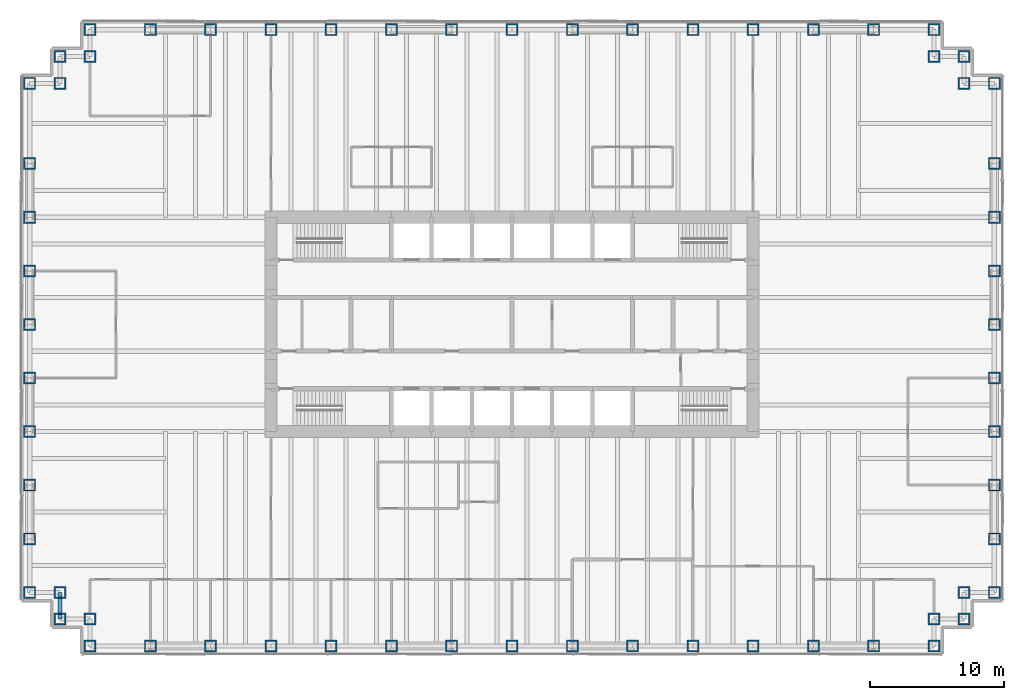
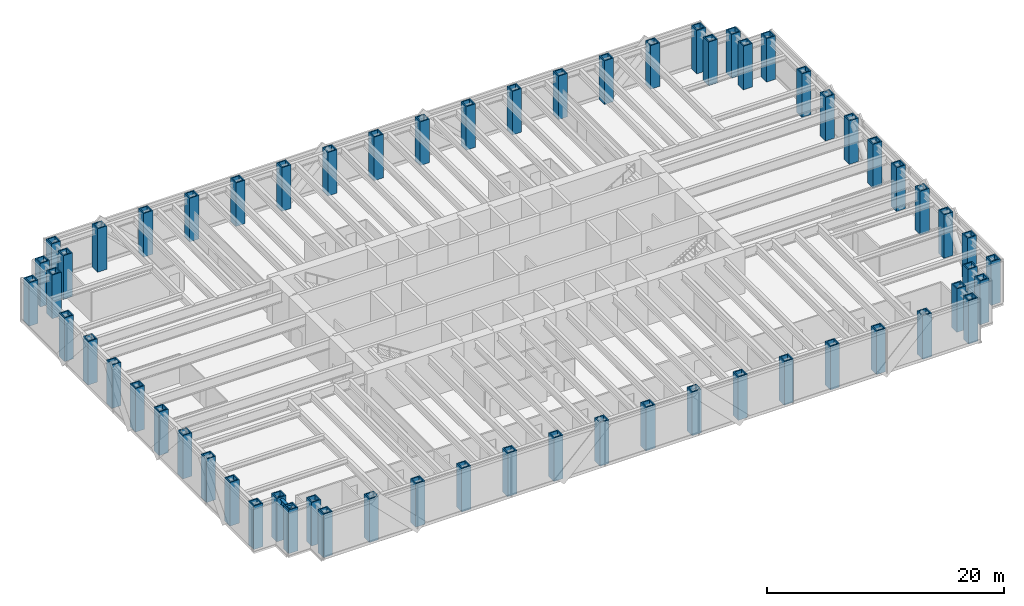
# One storey, part 1 of 13: 62 columns, 1 beam.
"""IFC4 building model written with IfcOpenShell, lengths in metres."""

from ifc_helpers import new_model, si_unit, direction, frame, origin, origin_2d, place, context, subcontext, project, spatial, hollow_rectangle, i_section, extrude, material, material_profile, profile_set, type_object, element, save


model = new_model("IFC4")

# Units and contexts
model_context = context("Model", 3, precision=1e-05, world=origin(), true_north=direction((0.0, 1.0)))
body_context = subcontext(model_context, "Body", "Model", "MODEL_VIEW")
ifc_project = project(units=[si_unit("LENGTHUNIT", "METRE"), si_unit("AREAUNIT", "SQUARE_METRE"), si_unit("VOLUMEUNIT", "CUBIC_METRE"), si_unit("PLANEANGLEUNIT", "RADIAN"), si_unit("MASSUNIT", "GRAM", prefix="KILO")], contexts=[model_context])

# Site, building, storey
site_placement = place(None, origin())
site = spatial("IfcSite", under=ifc_project, at=site_placement, CompositionType="ELEMENT")
building_placement = place(site_placement, origin())
building = spatial("IfcBuilding", under=site, at=building_placement, Name="Rheinbord Bourse Tower", CompositionType="ELEMENT")
storey_placement = place(building_placement, frame((0.0, 0.0, 86.0)))
storey = spatial("IfcBuildingStorey", under=building, at=storey_placement, Name="L18", CompositionType="ELEMENT", Elevation=86.0)

# Columns
ifc_material_1 = material(Name="Steel S460M", Category="steel")
ifc_material_profile_1 = material_profile(ifc_material_1, hollow_rectangle(XDim=0.89990234375, YDim=0.89990234375, WallThickness=0.110107421875, at=origin_2d()), Name="BOX 900x900x110")
ifc_profile_set_1 = profile_set([ifc_material_profile_1], Name="Steel S460M")
column_type = type_object("IfcColumnType", Name="TUBE COLUMN BOX 900x900x110", PredefinedType="COLUMN", material=ifc_profile_set_1)
for number, where, z_axis, x_axis, name in (
    (1, (4.5, 0.0, 0.0), (0.0, 0.0, 1.0), (0.0, 1.0, 0.0), "Column SW-E L18"),
    (2, (9.0, 0.0, 0.0), (0.0, 0.0, 1.0), (0.0, 1.0, 0.0), "Column S-9 L18"),
    (3, (13.5, 0.0, 0.0), (0.0, 0.0, 1.0), (0.0, 1.0, 0.0), "Column S-13.5 L18"),
    (4, (18.0, 0.0, 0.0), (0.0, 0.0, 1.0), (0.0, 1.0, 0.0), "Column S-18 L18"),
    (5, (22.5, 0.0, 0.0), (0.0, 0.0, 1.0), (0.0, 1.0, 0.0), "Column S-22.5 L18"),
    (6, (27.0, 0.0, 0.0), (0.0, 0.0, 1.0), (0.0, 1.0, 0.0), "Column S-27 L18"),
    (7, (31.5, 0.0, 0.0), (0.0, 0.0, 1.0), (0.0, 1.0, 0.0), "Column S-31.5 L18"),
    (8, (36.0, 0.0, 0.0), (0.0, 0.0, 1.0), (0.0, 1.0, 0.0), "Column S-36 L18"),
    (9, (40.5, 0.0, 0.0), (0.0, 0.0, 1.0), (0.0, 1.0, 0.0), "Column S-40.5 L18"),
    (10, (45.0, 0.0, 0.0), (0.0, 0.0, 1.0), (0.0, 1.0, 0.0), "Column S-45 L18"),
    (11, (49.5, 0.0, 0.0), (0.0, 0.0, 1.0), (0.0, 1.0, 0.0), "Column S-49.5 L18"),
    (12, (54.0, 0.0, 0.0), (0.0, 0.0, 1.0), (0.0, 1.0, 0.0), "Column S-54 L18"),
    (13, (58.5, 0.0, 0.0), (0.0, 0.0, 1.0), (0.0, 1.0, 0.0), "Column S-58.5 L18"),
    (14, (63.0, 0.0, 0.0), (0.0, 0.0, 1.0), (0.0, 1.0, 0.0), "Column S-63 L18"),
    (15, (67.5, 0.0, 0.0), (0.0, 0.0, 1.0), (0.0, 1.0, 0.0), "Column SE-E L18"),
    (16, (67.5, 2.0, 0.0), (0.0, 0.0, 1.0), (0.0, 1.0, 0.0), "Column SE-D L18"),
    (17, (69.75, 2.0, 0.0), (0.0, 0.0, 1.0), (1.0, 0.0, 0.0), "Column SE-C L18"),
    (18, (69.75, 4.0, 0.0), (0.0, 0.0, 1.0), (1.0, 0.0, 0.0), "Column SE-B L18"),
    (19, (72.0, 4.0, 0.0), (0.0, 0.0, 1.0), (1.0, 0.0, 0.0), "Column SE-A L18"),
    (20, (72.0, 8.0, 0.0), (0.0, 0.0, 1.0), (1.0, 0.0, 0.0), "Column E-8 L18"),
    (21, (72.0, 12.0, 0.0), (0.0, 0.0, 1.0), (1.0, 0.0, 0.0), "Column E-12 L18"),
    (22, (72.0, 16.0, 0.0), (0.0, 0.0, 1.0), (1.0, 0.0, 0.0), "Column E-16 L18"),
    (23, (72.0, 20.0, 0.0), (0.0, 0.0, 1.0), (1.0, 0.0, 0.0), "Column E-20 L18"),
    (24, (72.0, 24.0, 0.0), (0.0, 0.0, 1.0), (1.0, 0.0, 0.0), "Column E-24 L18"),
    (25, (72.0, 28.0, 0.0), (0.0, 0.0, 1.0), (1.0, 0.0, 0.0), "Column E-28 L18"),
    (26, (72.0, 32.0, 0.0), (0.0, 0.0, 1.0), (1.0, 0.0, 0.0), "Column E-32 L18"),
    (27, (72.0, 36.0, 0.0), (0.0, 0.0, 1.0), (1.0, 0.0, 0.0), "Column E-36 L18"),
    (28, (72.0, 42.0, 0.0), (0.0, 0.0, 1.0), (1.0, 0.0, 0.0), "Column NE-A L18"),
    (29, (69.75, 42.0, 0.0), (0.0, 0.0, 1.0), (1.0, 0.0, 0.0), "Column NE-B L18"),
    (30, (69.75, 44.0, 0.0), (0.0, 0.0, 1.0), (1.0, 0.0, 0.0), "Column NE-C L18"),
    (31, (67.5, 44.0, 0.0), (0.0, 0.0, 1.0), (0.0, 1.0, 0.0), "Column NE-D L18"),
    (32, (67.5, 46.0, 0.0), (0.0, 0.0, 1.0), (0.0, 1.0, 0.0), "Column NE-E L18"),
    (33, (63.0, 46.0, 0.0), (0.0, 0.0, 1.0), (0.0, 1.0, 0.0), "Column N-63 L18"),
    (34, (58.5, 46.0, 0.0), (0.0, 0.0, 1.0), (0.0, 1.0, 0.0), "Column N-58.5 L18"),
    (35, (54.0, 46.0, 0.0), (0.0, 0.0, 1.0), (0.0, 1.0, 0.0), "Column N-54 L18"),
    (36, (49.5, 46.0, 0.0), (0.0, 0.0, 1.0), (0.0, 1.0, 0.0), "Column N-49.5 L18"),
    (37, (45.0, 46.0, 0.0), (0.0, 0.0, 1.0), (0.0, 1.0, 0.0), "Column N-45 L18"),
    (38, (40.5, 46.0, 0.0), (0.0, 0.0, 1.0), (0.0, 1.0, 0.0), "Column N-40.5 L18"),
    (39, (36.0, 46.0, 0.0), (0.0, 0.0, 1.0), (0.0, 1.0, 0.0), "Column N-36 L18"),
    (40, (31.5, 46.0, 0.0), (0.0, 0.0, 1.0), (0.0, 1.0, 0.0), "Column N-31.5 L18"),
    (41, (27.0, 46.0, 0.0), (0.0, 0.0, 1.0), (0.0, 1.0, 0.0), "Column N-27 L18"),
    (42, (22.5, 46.0, 0.0), (0.0, 0.0, 1.0), (0.0, 1.0, 0.0), "Column N-22.5 L18"),
    (43, (18.0, 46.0, 0.0), (0.0, 0.0, 1.0), (0.0, 1.0, 0.0), "Column N-18 L18"),
    (44, (13.5, 46.0, 0.0), (0.0, 0.0, 1.0), (0.0, 1.0, 0.0), "Column N-13.5 L18"),
    (45, (9.0, 46.0, 0.0), (0.0, 0.0, 1.0), (0.0, 1.0, 0.0), "Column N-9 L18"),
    (46, (4.5, 46.0, 0.0), (0.0, 0.0, 1.0), (0.0, 1.0, 0.0), "Column NW-E L18"),
    (47, (4.5, 44.0, 0.0), (0.0, 0.0, 1.0), (0.0, 1.0, 0.0), "Column NW-D L18"),
    (48, (2.25, 44.0, 0.0), (0.0, 0.0, 1.0), (1.0, 0.0, 0.0), "Column NW-C L18"),
    (49, (2.25, 42.0, 0.0), (0.0, 0.0, 1.0), (1.0, 0.0, 0.0), "Column NW-B L18"),
    (50, (0.0, 42.0, 0.0), (0.0, 0.0, 1.0), (1.0, 0.0, 0.0), "Column NW-A L18"),
    (51, (0.0, 36.0, 0.0), (0.0, 0.0, 1.0), (1.0, 0.0, 0.0), "Column W-36 L18"),
    (52, (0.0, 32.0, 0.0), (0.0, 0.0, 1.0), (1.0, 0.0, 0.0), "Column W-32 L18"),
    (53, (0.0, 28.0, 0.0), (0.0, 0.0, 1.0), (1.0, 0.0, 0.0), "Column W-28 L18"),
    (54, (0.0, 24.0, 0.0), (0.0, 0.0, 1.0), (1.0, 0.0, 0.0), "Column W-24 L18"),
    (55, (0.0, 20.0, 0.0), (0.0, 0.0, 1.0), (1.0, 0.0, 0.0), "Column W-20 L18"),
    (56, (0.0, 16.0, 0.0), (0.0, 0.0, 1.0), (1.0, 0.0, 0.0), "Column W-16 L18"),
    (57, (0.0, 12.0, 0.0), (0.0, 0.0, 1.0), (1.0, 0.0, 0.0), "Column W-12 L18"),
    (58, (0.0, 8.0, 0.0), (0.0, 0.0, 1.0), (1.0, 0.0, 0.0), "Column W-8 L18"),
    (59, (0.0, 4.0, 0.0), (0.0, 0.0, 1.0), (1.0, 0.0, 0.0), "Column SW-A L18"),
    (60, (2.25, 4.0, 0.0), (0.0, 0.0, 1.0), (1.0, 0.0, 0.0), "Column SW-B L18"),
    (61, (2.25, 2.0, 0.0), (0.0, 0.0, 1.0), (1.0, 0.0, 0.0), "Column SW-C L18"),
    (62, (4.5, 2.0, 0.0), (0.0, 0.0, 1.0), (0.0, 1.0, 0.0), "Column SW-D L18"),
):
    element("IfcColumn", number, at=place(storey_placement, frame(where, z_axis=z_axis, x_axis=x_axis)), inside=storey, type_object=column_type, Name=name, PredefinedType="COLUMN", context=body_context, shape_type="SweptSolid", body=[
        extrude(hollow_rectangle(XDim=0.89990234375, YDim=0.89990234375, WallThickness=0.110107421875, at=origin_2d()), origin(), (0.0, 0.0, 1.0), 4.5),
    ])

# Beam
ifc_material_2 = material(Name="Steel S460", Category="steel")
ifc_material_profile_2 = material_profile(ifc_material_2, i_section(OverallWidth=0.304931640625, OverallDepth=0.6201171875, WebThickness=0.02099609375, FlangeThickness=0.0400390625, at=origin_2d()), Name="HEM 600")
ifc_profile_set_2 = profile_set([ifc_material_profile_2], Name="Steel S460")
beam_type = type_object("IfcBeamType", Name="SPANDREL HEM 600", PredefinedType="SPANDREL", material=ifc_profile_set_2)
beam_placement = place(storey_placement, frame((2.25, 4.0, 4.010009765625), z_axis=(0.0, -1.0, 0.0), x_axis=(1.0, 0.0, 0.0)))
element("IfcBeam", 63, at=beam_placement, inside=storey, type_object=beam_type, Name="Spandrel SW-B-SW-C under L19", PredefinedType="SPANDREL", context=body_context, shape_type="SweptSolid", body=[
    extrude(i_section(OverallWidth=0.304931640625, OverallDepth=0.6201171875, WebThickness=0.02099609375, FlangeThickness=0.0400390625, at=origin_2d()), origin(), (0.0, 0.0, 1.0), 2.0),
])

save(model, "model.ifc")
